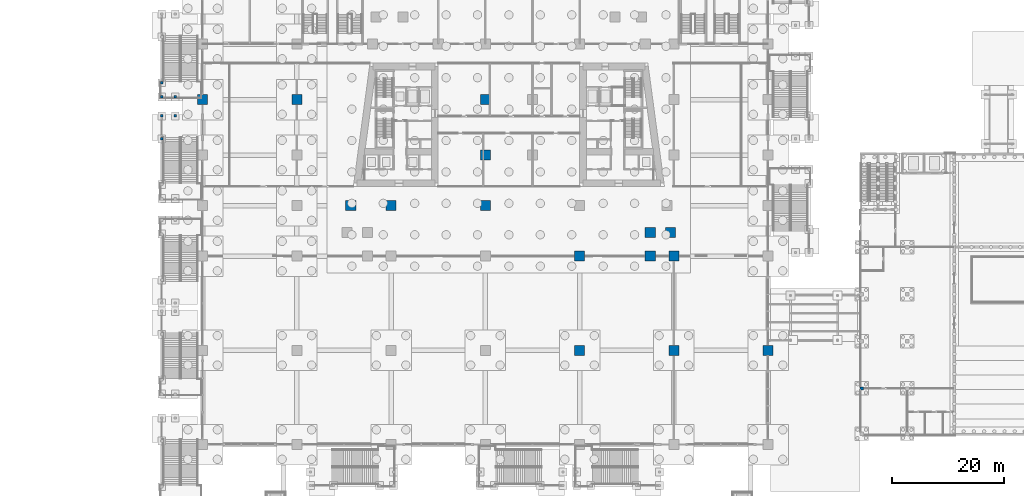
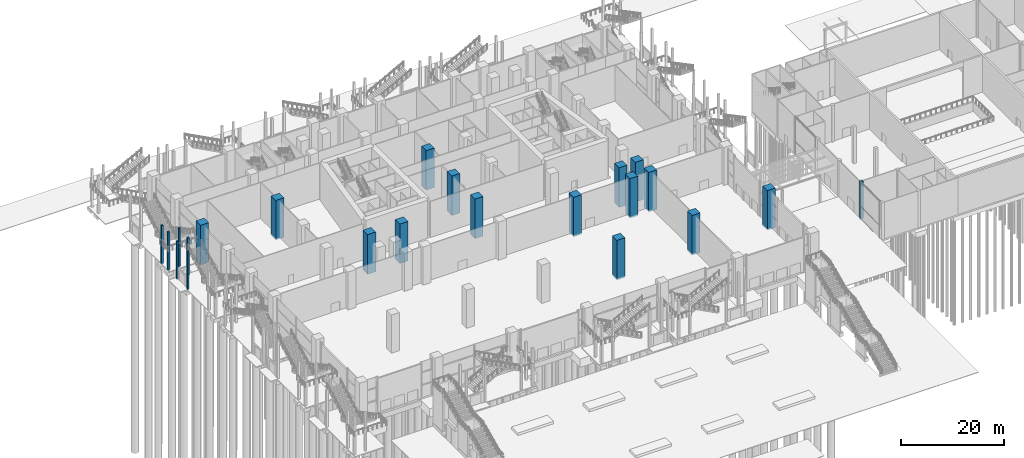
# One storey, part 7 of 72: 22 columns.
"""IFC4 building model written with IfcOpenShell, lengths in metres."""

from ifc_helpers import new_model, si_unit, direction, frame, origin, origin_2d, place, context, subcontext, project, spatial, rectangle, extrude, material, material_profile, profile_set, type_object, element, save


model = new_model("IFC4")

# Units and contexts
model_context = context("Model", 3, precision=1e-05, world=origin(), true_north=direction((0.0, 1.0)))
body_context = subcontext(model_context, "Body", "Model", "MODEL_VIEW")
ifc_project = project(units=[si_unit("LENGTHUNIT", "METRE"), si_unit("AREAUNIT", "SQUARE_METRE"), si_unit("VOLUMEUNIT", "CUBIC_METRE"), si_unit("PLANEANGLEUNIT", "RADIAN"), si_unit("MASSUNIT", "GRAM", prefix="KILO")], contexts=[model_context])

# Site, building, storey
site_placement = place(None, origin())
site = spatial("IfcSite", under=ifc_project, at=site_placement, CompositionType="ELEMENT")
building_placement = place(site_placement, origin())
building = spatial("IfcBuilding", under=site, at=building_placement, Name="Candeia Pilgrim Tower and Theatre", CompositionType="ELEMENT")
storey_placement = place(building_placement, origin())
storey = spatial("IfcBuildingStorey", under=building, at=storey_placement, Name="L00", CompositionType="ELEMENT", Elevation=0.0)

# Columns
ifc_material_1 = material(Name="Concrete C40/50", Category="concrete")
ifc_material_profile_1 = material_profile(ifc_material_1, rectangle(XDim=0.39990234375, YDim=0.39990234375, at=origin_2d()))
ifc_profile_set_1 = profile_set([ifc_material_profile_1], Name="Concrete C40/50")
column_type_1 = type_object("IfcColumnType", Name="Escape stair column RC 400x400", PredefinedType="COLUMN", material=ifc_profile_set_1)
for number, where, z_axis, x_axis, name in (
    (1, (51.5, 128.889892578125, -0.199951171875), (0.0, 0.0, 1.0), (1.0, 0.0, 0.0), "External escape stair ES13 column F1.1"),
    (2, (51.5, 126.389892578125, -0.199951171875), (0.0, 0.0, 1.0), (1.0, 0.0, 0.0), "External escape stair ES13 column F2.1"),
    (3, (53.925048828125, 126.389892578125, -0.199951171875), (0.0, 0.0, 1.0), (1.0, 0.0, 0.0), "External escape stair ES13 column F3.1"),
):
    element("IfcColumn", number, at=place(storey_placement, frame(where, z_axis=z_axis, x_axis=x_axis)), inside=storey, type_object=column_type_1, Name=name, PredefinedType="COLUMN", context=body_context, shape_type="SweptSolid", body=[
        extrude(rectangle(XDim=0.39990234375, YDim=0.39990234375, at=origin_2d()), origin(), (0.0, 0.0, 1.0), 9.199951171875),
    ])
for number, where, z_axis, x_axis, name in (
    (4, (51.5, 123.0, -0.199951171875), (0.0, 0.0, 1.0), (1.0, 0.0, 0.0), "External escape stair ES15 column N1.1"),
    (5, (51.5, 118.89990234375, -0.199951171875), (0.0, 0.0, 1.0), (1.0, 0.0, 0.0), "External escape stair ES15 column N2.1"),
    (6, (53.925048828125, 123.0, -0.199951171875), (0.0, 0.0, 1.0), (1.0, 0.0, 0.0), "External escape stair ES15 column N3.1"),
):
    element("IfcColumn", number, at=place(storey_placement, frame(where, z_axis=z_axis, x_axis=x_axis)), inside=storey, type_object=column_type_1, Name=name, PredefinedType="COLUMN", context=body_context, shape_type="SweptSolid", body=[
        extrude(rectangle(XDim=0.39990234375, YDim=0.39990234375, at=origin_2d()), origin(), (0.0, 0.0, 1.0), 9.0),
    ])
ifc_material_2 = material(Name="Concrete C80/95", Category="concrete")
ifc_material_profile_2 = material_profile(ifc_material_2, rectangle(XDim=1.800048828125, YDim=1.800048828125, at=origin_2d()))
ifc_profile_set_2 = profile_set([ifc_material_profile_2], Name="Concrete C80/95")
column_type_2 = type_object("IfcColumnType", Name="RC 1800x1800 C80/95", PredefinedType="COLUMN", material=ifc_profile_set_2)
for number, where, z_axis, x_axis, name in (
    (7, (126.0, 81.199951171875, -0.35009765625), (0.0, 0.0, 1.0), (1.0, 0.0, 0.0), "Column P+0420-0168"),
    (8, (142.800048828125, 81.199951171875, -0.35009765625), (0.0, 0.0, 1.0), (1.0, 0.0, 0.0), "Column P+0588-0168"),
    (9, (159.60009765625, 81.199951171875, -0.35009765625), (0.0, 0.0, 1.0), (1.0, 0.0, 0.0), "Column P+0756-0168"),
    (10, (126.0, 98.0, -0.35009765625), (0.0, 0.0, 1.0), (1.0, 0.0, 0.0), "Column P+0420+0000"),
    (11, (138.60009765625, 98.0, -0.35009765625), (0.0, 0.0, 1.0), (1.0, 0.0, 0.0), "Column P+0546+0000"),
    (12, (142.800048828125, 98.0, -0.35009765625), (0.0, 0.0, 1.0), (1.0, 0.0, 0.0), "Column P+0588+0000"),
    (13, (138.60009765625, 102.199951171875, -0.35009765625), (0.0, 0.0, 1.0), (1.0, 0.0, 0.0), "Column P+0546+0042"),
    (14, (142.234619140625, 102.199951171875, -0.35009765625), (0.0, 0.0, 1.0), (1.0, 0.0, 0.0), "Column P+0582+0042"),
    (15, (85.21142578125, 107.0, -0.35009765625), (0.0, 0.0, 1.0), (1.0, 0.0, 0.0), "Column P+0012+0090"),
    (16, (92.39990234375, 107.0, -0.35009765625), (0.0, 0.0, 1.0), (1.0, 0.0, 0.0), "Column P+0084+0090"),
    (17, (109.199951171875, 107.0, -0.35009765625), (0.0, 0.0, 1.0), (1.0, 0.0, 0.0), "Column P+0252+0090"),
    (18, (109.199951171875, 116.0, -0.35009765625), (0.0, 0.0, 1.0), (1.0, 0.0, 0.0), "Column P+0252+0180"),
    (19, (58.800048828125, 125.89990234375, -0.35009765625), (0.0, 0.0, 1.0), (1.0, 0.0, 0.0), "Column P-0252+0279"),
    (20, (75.60009765625, 125.89990234375, -0.35009765625), (0.0, 0.0, 1.0), (1.0, 0.0, 0.0), "Column P-0084+0279"),
    (21, (109.199951171875, 125.89990234375, -0.35009765625), (0.0, 0.0, 1.0), (1.0, 0.0, 0.0), "Column P+0252+0279"),
):
    element("IfcColumn", number, at=place(storey_placement, frame(where, z_axis=z_axis, x_axis=x_axis)), inside=storey, type_object=column_type_2, Name=name, PredefinedType="COLUMN", context=body_context, shape_type="SweptSolid", body=[
        extrude(rectangle(XDim=1.800048828125, YDim=1.800048828125, at=origin_2d()), origin(), (0.0, 0.0, 1.0), 9.35009765625),
    ])
ifc_material_profile_3 = material_profile(ifc_material_1, rectangle(XDim=0.60009765625, YDim=0.60009765625, at=origin_2d()))
ifc_profile_set_3 = profile_set([ifc_material_profile_3], Name="Concrete C40/50")
column_type_3 = type_object("IfcColumnType", Name="Theatre column 600x600", PredefinedType="COLUMN", material=ifc_profile_set_3)
column_placement = place(storey_placement, frame((176.300048828125, 74.39990234375, 0.0), z_axis=(0.0, 0.0, 1.0), x_axis=(1.0, 0.0, 0.0)))
element("IfcColumn", 22, at=column_placement, inside=storey, type_object=column_type_3, Name="Column TC-B1 L00", PredefinedType="COLUMN", context=body_context, shape_type="SweptSolid", body=[
    extrude(rectangle(XDim=0.60009765625, YDim=0.60009765625, at=origin_2d()), origin(), (0.0, 0.0, 1.0), 8.699951171875),
])

save(model, "model.ifc")
